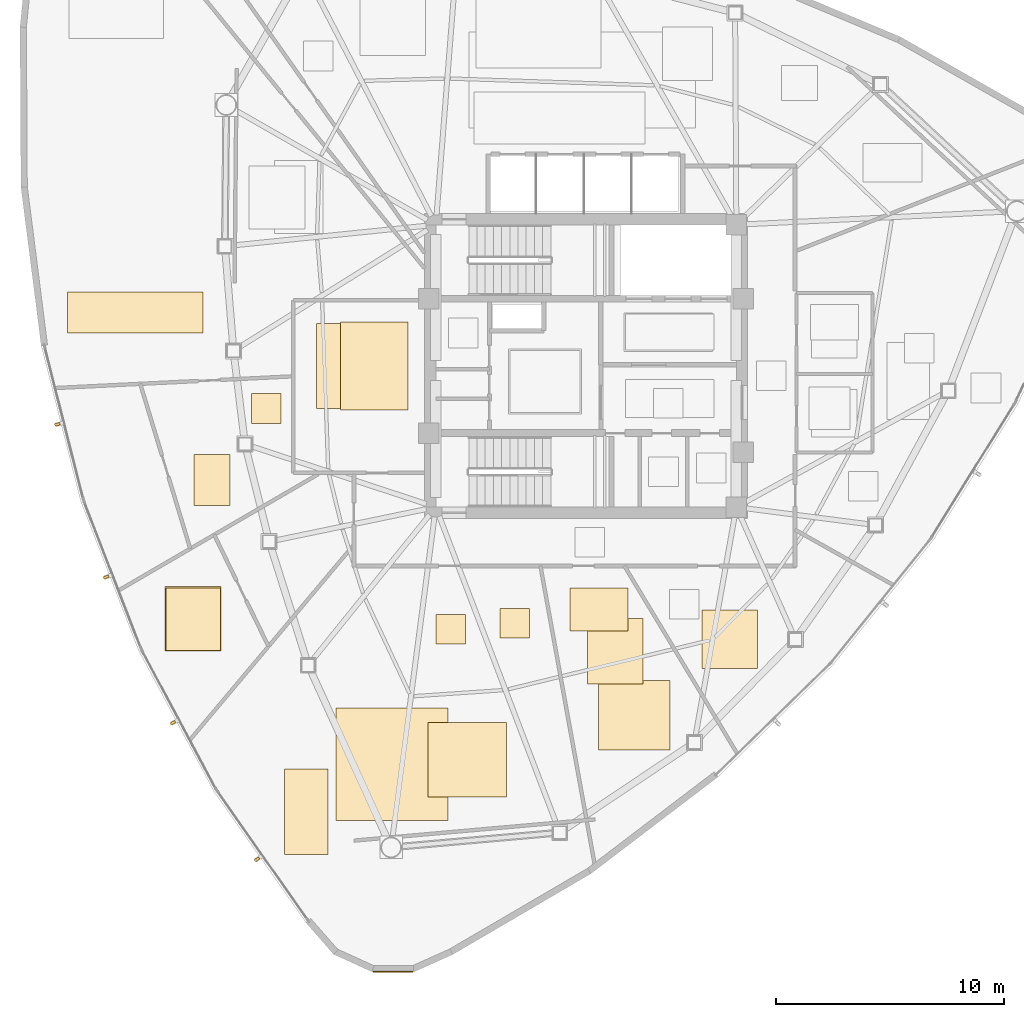
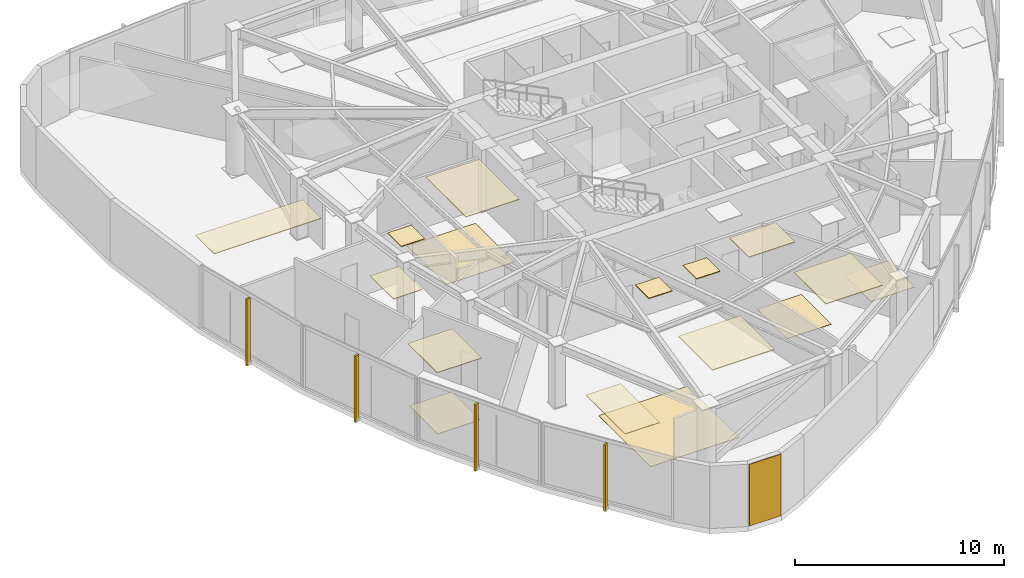
# One storey, part 11 of 13: 17 coverings, 4 shading devices.
"""IFC4 building model written with IfcOpenShell, lengths in metres."""

from ifc_helpers import new_model, si_unit, direction, frame, origin, origin_2d, place, context, subcontext, project, spatial, polyline, rectangle, outline, extrude, source, transform, mapped, material, layer, layer_set, type_object, type_shapes, element, save


model = new_model("IFC4")

# Units and contexts
model_context = context("Model", 3, precision=1e-05, world=origin(), true_north=direction((0.0, 1.0)))
body_context = subcontext(model_context, "Body", "Model", "MODEL_VIEW")
ifc_project = project(units=[si_unit("LENGTHUNIT", "METRE"), si_unit("AREAUNIT", "SQUARE_METRE"), si_unit("VOLUMEUNIT", "CUBIC_METRE"), si_unit("PLANEANGLEUNIT", "RADIAN"), si_unit("MASSUNIT", "GRAM", prefix="KILO")], contexts=[model_context])

# Site, building, storey
site_placement = place(None, origin())
site = spatial("IfcSite", under=ifc_project, at=site_placement, CompositionType="ELEMENT")
building_placement = place(site_placement, origin())
building = spatial("IfcBuilding", under=site, at=building_placement, Name="Tavelor Broadcast Tower", CompositionType="ELEMENT")
storey_placement = place(building_placement, frame((0.0, 0.0, 241.89990234375)))
storey = spatial("IfcBuildingStorey", under=building, at=storey_placement, Name="L57", CompositionType="ELEMENT", Elevation=241.89990234375)

# Coverings
ifc_material_1 = material(Name="Copper-Bronze Anodized Aluminium", Category="aluminium")
ifc_layer_1 = layer(ifc_material_1, 0.050048828125)
ifc_layer_set_1 = layer_set([ifc_layer_1], Name="Copper-Bronze Anodized Aluminium")
covering_type_1 = type_object("IfcCoveringType", Name="Champagne-Bronze Corner Pier Metal Cladding 50 mm", PredefinedType="CLADDING", material=ifc_layer_set_1)
covering_1_placement = place(storey_placement, frame((41.52197265625, 18.38720703125, 0.02001953125), z_axis=(0.0, 0.0, 1.0), x_axis=(0.999996573056, -0.002617990887, 0.0)))
element("IfcCovering", 1, at=covering_1_placement, inside=storey, type_object=covering_type_1, Name="L57 Champagne-Bronze Corner Cladding 13", PredefinedType="CLADDING", context=body_context, shape_type="SweptSolid", body=[
    extrude(rectangle(XDim=1.748046875, YDim=0.050048828125, at=origin_2d()), origin(), (0.0, 0.0, 1.0), 3.610107421875),
])
ifc_material_2 = material(Name="Acoustic Nylon Carpet Tile")
ifc_layer_2 = layer(ifc_material_2, 0.02001953125)
ifc_layer_set_2 = layer_set([ifc_layer_2], Name="Acoustic Nylon Carpet Tile")
covering_type_2 = type_object("IfcCoveringType", Name="Heavy-Duty Acoustic Broadcast Carpet Tile 20 mm", PredefinedType="FLOORING", material=ifc_layer_set_2)
covering_2_placement = place(storey_placement, origin())
element("IfcCovering", 2, at=covering_2_placement, inside=storey, type_object=covering_type_2, Name="L57 Broadcast Floor Finish 0838", PredefinedType="FLOORING", context=body_context, shape_type="SweptSolid", body=[
    extrude(outline(polyline([(38.15771484375, 43.12890625), (41.942138671875, 43.12890625), (41.942138671875, 46.87060546875), (38.15771484375, 46.87060546875), (38.15771484375, 43.12890625)])), origin(), (0.0, 0.0, 1.0), 0.02001953125),
])
covering_3_placement = place(storey_placement, origin())
element("IfcCovering", 3, at=covering_3_placement, inside=storey, type_object=covering_type_2, Name="L57 Broadcast Floor Finish 0841", PredefinedType="FLOORING", context=body_context, shape_type="SweptSolid", body=[
    extrude(outline(polyline([(55.085205078125, 31.7099609375), (57.51806640625, 31.7099609375), (57.51806640625, 34.269775390625), (55.085205078125, 34.269775390625), (55.085205078125, 31.7099609375)])), origin(), (0.0, 0.0, 1.0), 0.02001953125),
])
covering_4_placement = place(storey_placement, origin())
element("IfcCovering", 4, at=covering_4_placement, inside=storey, type_object=covering_type_2, Name="L57 Broadcast Floor Finish 0842", PredefinedType="FLOORING", context=body_context, shape_type="SweptSolid", body=[
    extrude(outline(polyline([(50.062255859375, 31.02978515625), (52.50341796875, 31.02978515625), (52.50341796875, 33.90673828125), (50.062255859375, 33.90673828125), (50.062255859375, 31.02978515625)])), origin(), (0.0, 0.0, 1.0), 0.02001953125),
])
covering_5_placement = place(storey_placement, origin())
element("IfcCovering", 5, at=covering_5_placement, inside=storey, type_object=covering_type_2, Name="L57 Broadcast Floor Finish 0843", PredefinedType="FLOORING", context=body_context, shape_type="SweptSolid", body=[
    extrude(outline(polyline([(39.02490234375, 25.038818359375), (43.936767578125, 25.038818359375), (43.936767578125, 29.984130859375), (39.02490234375, 29.984130859375), (39.02490234375, 25.038818359375)])), origin(), (0.0, 0.0, 1.0), 0.02001953125),
])
covering_6_placement = place(storey_placement, origin())
element("IfcCovering", 6, at=covering_6_placement, inside=storey, type_object=covering_type_2, Name="L57 Broadcast Floor Finish 0844", PredefinedType="FLOORING", context=body_context, shape_type="SweptSolid", body=[
    extrude(outline(polyline([(31.559814453125, 32.5126953125), (33.940185546875, 32.5126953125), (33.940185546875, 35.249267578125), (31.559814453125, 35.249267578125), (31.559814453125, 32.5126953125)])), origin(), (0.0, 0.0, 1.0), 0.02001953125),
])
ifc_material_3 = material(Name="Acoustic Mineral Fibre Tile")
ifc_layer_3 = layer(ifc_material_3, 0.0400390625)
ifc_layer_set_3 = layer_set([ifc_layer_3], Name="Acoustic Mineral Fibre Tile")
covering_type_3 = type_object("IfcCoveringType", Name="Suspended Acoustic Mineral-Fibre Office Ceiling 40 mm", PredefinedType="CEILING", material=ifc_layer_set_3)
covering_7_placement = place(storey_placement, frame((0.0, 0.0, 3.610107421875)))
element("IfcCovering", 7, at=covering_7_placement, inside=storey, type_object=covering_type_3, Name="L57 Suspended Acoustic Ceiling 2246", PredefinedType="CEILING", context=body_context, shape_type="SweptSolid", body=[
    extrude(outline(polyline([(39.2216796875, 43.0712890625), (42.182373046875, 43.0712890625), (42.182373046875, 46.927978515625), (39.2216796875, 46.927978515625), (39.2216796875, 43.0712890625)])), origin(), (0.0, 0.0, 1.0), 0.0400390625),
])
covering_8_placement = place(storey_placement, frame((0.0, 0.0, 3.610107421875)))
element("IfcCovering", 8, at=covering_8_placement, inside=storey, type_object=covering_type_3, Name="L57 Suspended Acoustic Ceiling 2250", PredefinedType="CEILING", context=body_context, shape_type="SweptSolid", body=[
    extrude(outline(polyline([(50.53759765625, 28.140869140625), (53.685546875, 28.140869140625), (53.685546875, 31.19287109375), (50.53759765625, 31.19287109375), (50.53759765625, 28.140869140625)])), origin(), (0.0, 0.0, 1.0), 0.0400390625),
])
covering_9_placement = place(storey_placement, frame((0.0, 0.0, 3.610107421875)))
element("IfcCovering", 9, at=covering_9_placement, inside=storey, type_object=covering_type_3, Name="L57 Suspended Acoustic Ceiling 2251", PredefinedType="CEILING", context=body_context, shape_type="SweptSolid", body=[
    extrude(outline(polyline([(49.2880859375, 33.368896484375), (51.852294921875, 33.368896484375), (51.852294921875, 35.238525390625), (49.2880859375, 35.238525390625), (49.2880859375, 33.368896484375)])), origin(), (0.0, 0.0, 1.0), 0.0400390625),
])
covering_10_placement = place(storey_placement, frame((0.0, 0.0, 3.610107421875)))
element("IfcCovering", 10, at=covering_10_placement, inside=storey, type_object=covering_type_3, Name="L57 Suspended Acoustic Ceiling 2252", PredefinedType="CEILING", context=body_context, shape_type="SweptSolid", body=[
    extrude(outline(polyline([(43.415283203125, 32.7802734375), (44.715087890625, 32.7802734375), (44.715087890625, 34.080322265625), (43.415283203125, 34.080322265625), (43.415283203125, 32.7802734375)])), origin(), (0.0, 0.0, 1.0), 0.0400390625),
])
covering_11_placement = place(storey_placement, frame((0.0, 0.0, 3.610107421875)))
element("IfcCovering", 11, at=covering_11_placement, inside=storey, type_object=covering_type_3, Name="L57 Suspended Acoustic Ceiling 2253", PredefinedType="CEILING", context=body_context, shape_type="SweptSolid", body=[
    extrude(outline(polyline([(46.217041015625, 33.05322265625), (47.51708984375, 33.05322265625), (47.51708984375, 34.353271484375), (46.217041015625, 34.353271484375), (46.217041015625, 33.05322265625)])), origin(), (0.0, 0.0, 1.0), 0.0400390625),
])
covering_12_placement = place(storey_placement, frame((0.0, 0.0, 3.610107421875)))
element("IfcCovering", 12, at=covering_12_placement, inside=storey, type_object=covering_type_3, Name="L57 Suspended Acoustic Ceiling 2254", PredefinedType="CEILING", context=body_context, shape_type="SweptSolid", body=[
    extrude(outline(polyline([(43.053955078125, 26.074462890625), (46.50537109375, 26.074462890625), (46.50537109375, 29.3408203125), (43.053955078125, 29.3408203125), (43.053955078125, 26.074462890625)])), origin(), (0.0, 0.0, 1.0), 0.0400390625),
])
covering_13_placement = place(storey_placement, frame((0.0, 0.0, 3.610107421875)))
element("IfcCovering", 13, at=covering_13_placement, inside=storey, type_object=covering_type_3, Name="L57 Suspended Acoustic Ceiling 2255", PredefinedType="CEILING", context=body_context, shape_type="SweptSolid", body=[
    extrude(outline(polyline([(36.756591796875, 23.53369140625), (38.676025390625, 23.53369140625), (38.676025390625, 27.2978515625), (36.756591796875, 27.2978515625), (36.756591796875, 23.53369140625)])), origin(), (0.0, 0.0, 1.0), 0.0400390625),
])
covering_14_placement = place(storey_placement, frame((0.0, 0.0, 3.610107421875)))
element("IfcCovering", 14, at=covering_14_placement, inside=storey, type_object=covering_type_3, Name="L57 Suspended Acoustic Ceiling 2256", PredefinedType="CEILING", context=body_context, shape_type="SweptSolid", body=[
    extrude(outline(polyline([(31.515380859375, 32.4814453125), (33.97705078125, 32.4814453125), (33.97705078125, 35.302978515625), (31.515380859375, 35.302978515625), (31.515380859375, 32.4814453125)])), origin(), (0.0, 0.0, 1.0), 0.0400390625),
])
covering_15_placement = place(storey_placement, frame((0.0, 0.0, 3.610107421875)))
element("IfcCovering", 15, at=covering_15_placement, inside=storey, type_object=covering_type_3, Name="L57 Suspended Acoustic Ceiling 2259", PredefinedType="CEILING", context=body_context, shape_type="SweptSolid", body=[
    extrude(outline(polyline([(27.224609375, 46.440185546875), (33.169189453125, 46.440185546875), (33.169189453125, 48.24072265625), (27.224609375, 48.24072265625), (27.224609375, 46.440185546875)])), origin(), (0.0, 0.0, 1.0), 0.0400390625),
])
covering_16_placement = place(storey_placement, frame((0.0, 0.0, 3.610107421875)))
element("IfcCovering", 16, at=covering_16_placement, inside=storey, type_object=covering_type_3, Name="L57 Suspended Acoustic Ceiling 2270", PredefinedType="CEILING", context=body_context, shape_type="SweptSolid", body=[
    extrude(outline(polyline([(32.778564453125, 38.868408203125), (34.366943359375, 38.868408203125), (34.366943359375, 41.099365234375), (32.778564453125, 41.099365234375), (32.778564453125, 38.868408203125)])), origin(), (0.0, 0.0, 1.0), 0.0400390625),
])
covering_17_placement = place(storey_placement, frame((0.0, 0.0, 3.610107421875)))
element("IfcCovering", 17, at=covering_17_placement, inside=storey, type_object=covering_type_3, Name="L57 Suspended Acoustic Ceiling 2271", PredefinedType="CEILING", context=body_context, shape_type="SweptSolid", body=[
    extrude(outline(polyline([(35.2978515625, 42.481201171875), (36.597900390625, 42.481201171875), (36.597900390625, 43.78125), (35.2978515625, 43.78125), (35.2978515625, 42.481201171875)])), origin(), (0.0, 0.0, 1.0), 0.0400390625),
])

# Shading devices
ifc_material_4 = material(Name="Kiln-Fired Glazed Terracotta", Category="masonry")
shading_device_type = type_object("IfcShadingDeviceType", Name="Extruded Terracotta Baguette Sun-Screen 110x240", PredefinedType="JALOUSIE", material=ifc_material_4)
shared_shape = source(origin(), body_context, "Body", "SweptSolid", [
    extrude(rectangle(XDim=0.110107421875, YDim=0.239990234375, at=origin_2d()), origin(), (0.0, 0.0, 1.0), 3.889892578125),
])
type_shapes(shading_device_type, [shared_shape])
for number, where, z_axis, x_axis, name in (
    (18, (26.77880859375, 42.433349609375, -0.259765625), (0.0, 0.0, 1.0), (0.245814952628, -0.969316774365, 0.0), "L57 Terracotta Baguette Fin 589"),
    (19, (28.91943359375, 35.72607421875, -0.259765625), (0.0, 0.0, 1.0), (0.361299105657, -0.932449975201, 0.0), "L57 Terracotta Baguette Fin 590"),
    (20, (31.855712890625, 29.326904296875, -0.259765625), (0.0, 0.0, 1.0), (0.47147369718, -0.881880123865, 0.0), "L57 Terracotta Baguette Fin 591"),
    (21, (35.545166015625, 23.330322265625, -0.259765625), (0.0, 0.0, 1.0), (0.574719628891, -0.818350382274, 0.0), "L57 Terracotta Baguette Fin 592"),
):
    element("IfcShadingDevice", number, at=place(storey_placement, frame(where, z_axis=z_axis, x_axis=x_axis)), inside=storey, type_object=shading_device_type, Name=name, PredefinedType="JALOUSIE", context=body_context, shape_type="MappedRepresentation", body=[
        mapped(shared_shape, transform((0.0, 0.0, 0.0), scale=1.0)),
    ])

save(model, "model.ifc")
